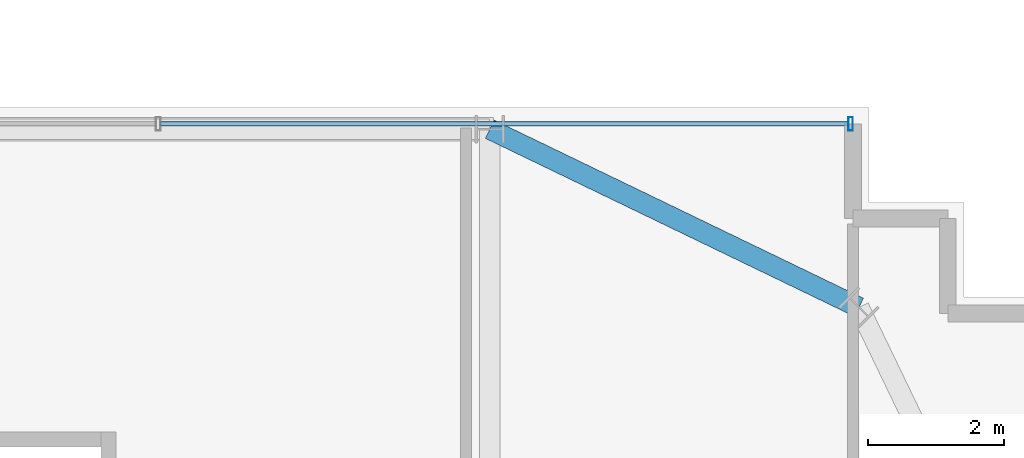
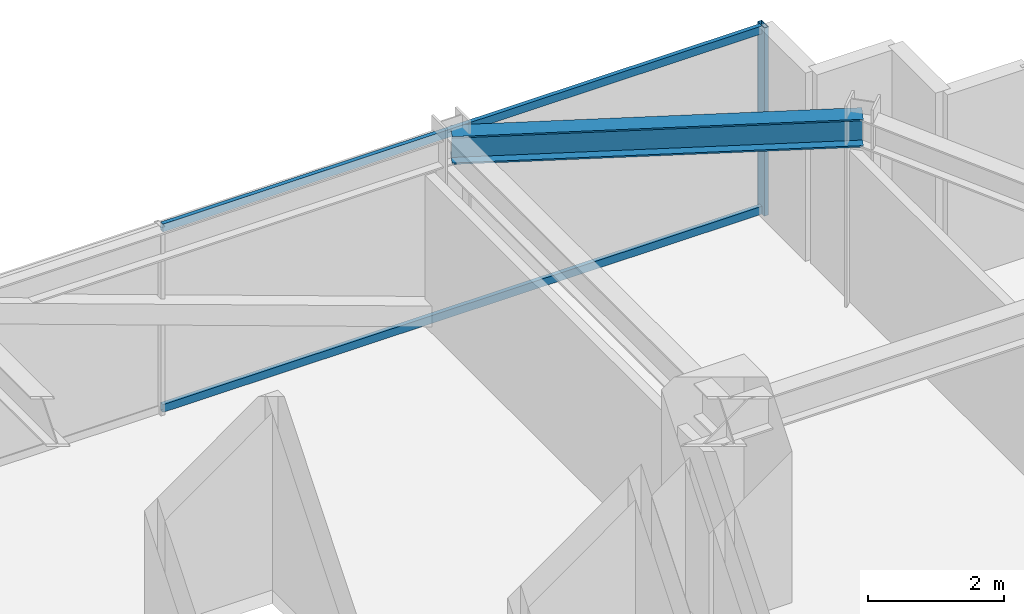
# One storey, part 32 of 41: 3 members, 1 beam, 1 element without a shape of its own.
"""IFC4 building model written with IfcOpenShell, lengths in metres."""

from ifc_helpers import new_model, si_unit, direction, frame, origin, origin_2d, place, context, subcontext, project, spatial, hollow_rectangle, i_section, extrude, source, transform, mapped, material, material_profile, profile_set, type_object, element, aggregate, save


model = new_model("IFC4")

# Units and contexts
model_context = context("Model", 3, precision=1e-05, world=origin(), true_north=direction((0.0, 1.0)))
body_context = subcontext(model_context, "Body", "Model", "MODEL_VIEW")
ifc_project = project(units=[si_unit("LENGTHUNIT", "METRE"), si_unit("AREAUNIT", "SQUARE_METRE"), si_unit("VOLUMEUNIT", "CUBIC_METRE"), si_unit("PLANEANGLEUNIT", "RADIAN"), si_unit("MASSUNIT", "GRAM", prefix="KILO")], contexts=[model_context])

# Site, building, storey
site_placement = place(None, origin())
site = spatial("IfcSite", under=ifc_project, at=site_placement, CompositionType="ELEMENT")
building_placement = place(site_placement, origin())
building = spatial("IfcBuilding", under=site, at=building_placement, Name="Nahalor Promenade Grand Hotel", CompositionType="ELEMENT")
storey_placement = place(building_placement, frame((0.0, 0.0, 54.300048828125)))
storey = spatial("IfcBuildingStorey", under=building, at=storey_placement, Name="L12", CompositionType="ELEMENT", Elevation=54.300048828125)

# Beam
ifc_material_1 = material(Name="Steel S355JR", Category="steel")
ifc_material_profile_1 = material_profile(ifc_material_1, i_section(OverallWidth=0.3, OverallDepth=0.5, WebThickness=0.0145, FlangeThickness=0.028, at=origin_2d()), Name="HEB 500")
ifc_profile_set_1 = profile_set([ifc_material_profile_1], Name="Steel S355JR")
beam_type = type_object("IfcBeamType", Name="Beam-Spandrel-HEB500", PredefinedType="SPANDREL", material=ifc_profile_set_1)
shared_shape_1 = source(origin(), body_context, "Body", "SweptSolid", [
    extrude(i_section(OverallWidth=0.3, OverallDepth=0.5, WebThickness=0.0145, FlangeThickness=0.028, at=origin_2d()), origin(), (0.0, 0.0, 1.0), 6.051513671875),
])
beam_placement = place(storey_placement, frame((17.0, 25.080078125, 3.119873046875), z_axis=(0.900608818852, -0.434630596492, 0.0), x_axis=(0.434630596492, 0.900608818852, 0.0)))
element("IfcBeam", 1, at=beam_placement, inside=storey, type_object=beam_type, Name="BM-L12-SPC-NE-1", PredefinedType="SPANDREL", context=body_context, shape_type="MappedRepresentation", body=[
    mapped(shared_shape_1, transform((0.0, 0.0, 0.0), scale=1.0)),
])

# Curtain wall, members
ifc_material_2 = material(Name="Anodised Bronze Aluminium EN AW-6063 T6", Category="aluminium")
curtain_wall_type = type_object("IfcCurtainWallType", Name="CW3 Elliptical-Void Collar Unitised Curtain Wall", PredefinedType="USERDEFINED", material=ifc_material_2)
curtain_wall_placement = place(storey_placement, origin())
curtain_wall = element("IfcCurtainWall", 2, at=curtain_wall_placement, inside=storey, type_object=curtain_wall_type, Name="L12 Curtain Wall CW-L12-N-3", ObjectType="UNITISED_CURTAIN_WALL", PredefinedType="USERDEFINED")
ifc_material_profile_2 = material_profile(ifc_material_2, hollow_rectangle(XDim=0.07, YDim=0.2, WallThickness=0.005, at=origin_2d()), Name="CWM 70x200x5")
ifc_profile_set_2 = profile_set([ifc_material_profile_2], Name="Anodised Bronze Aluminium EN AW-6063 T6")
member_type_1 = type_object("IfcMemberType", Name="CWM3 Void Collar Mullion 70x200", PredefinedType="MULLION", material=ifc_profile_set_2)
shared_shape_2 = source(origin(), body_context, "Body", "SweptSolid", [
    extrude(hollow_rectangle(XDim=0.07, YDim=0.2, WallThickness=0.005, at=origin_2d()), origin(), (0.0, 0.0, 1.0), 3.369873046875),
])
member_1_placement = place(storey_placement, frame((22.324951171875, 25.159912109375, 0.0), z_axis=(0.0, 0.0, 1.0), x_axis=(1.0, 0.0, 0.0)))
member_1 = element("IfcMember", 3, at=member_1_placement, type_object=member_type_1, Name="CW-L12-N-3 Mullion 3", PredefinedType="MULLION", context=body_context, shape_type="MappedRepresentation", body=[
    mapped(shared_shape_2, transform((0.0, 0.0, 0.0), scale=1.0)),
])
ifc_material_profile_3 = material_profile(ifc_material_2, hollow_rectangle(XDim=0.07, YDim=0.14, WallThickness=0.004, at=origin_2d()), Name="CWT 70x140x4")
ifc_profile_set_3 = profile_set([ifc_material_profile_3], Name="Anodised Bronze Aluminium EN AW-6063 T6")
member_type_2 = type_object("IfcMemberType", Name="CWT3 Void Collar Transom 70x140", PredefinedType="USERDEFINED", material=ifc_profile_set_3)
shared_shape_3 = source(origin(), body_context, "Body", "SweptSolid", [
    extrude(hollow_rectangle(XDim=0.07, YDim=0.14, WallThickness=0.004, at=origin_2d()), origin(), (0.0, 0.0, 1.0), 10.1484375),
])
member_2_placement = place(storey_placement, frame((12.1416015625, 25.159912109375, 0.070068359375), z_axis=(1.0, 0.0, 0.0), x_axis=(0.0, 1.0, 0.0)))
member_2 = element("IfcMember", 4, at=member_2_placement, type_object=member_type_2, Name="CW-L12-N-3 Transom 2-0", ObjectType="TRANSOM", PredefinedType="USERDEFINED", context=body_context, shape_type="MappedRepresentation", body=[
    mapped(shared_shape_3, transform((0.0, 0.0, 0.0), scale=1.0)),
])
member_3_placement = place(storey_placement, frame((12.1416015625, 25.159912109375, 3.300048828125), z_axis=(1.0, 0.0, 0.0), x_axis=(0.0, 1.0, 0.0)))
member_3 = element("IfcMember", 5, at=member_3_placement, type_object=member_type_2, Name="CW-L12-N-3 Transom 2-1", ObjectType="TRANSOM", PredefinedType="USERDEFINED", context=body_context, shape_type="MappedRepresentation", body=[
    mapped(shared_shape_3, transform((0.0, 0.0, 0.0), scale=1.0)),
])
aggregate(curtain_wall, [member_1, member_2, member_3])

save(model, "model.ifc")
